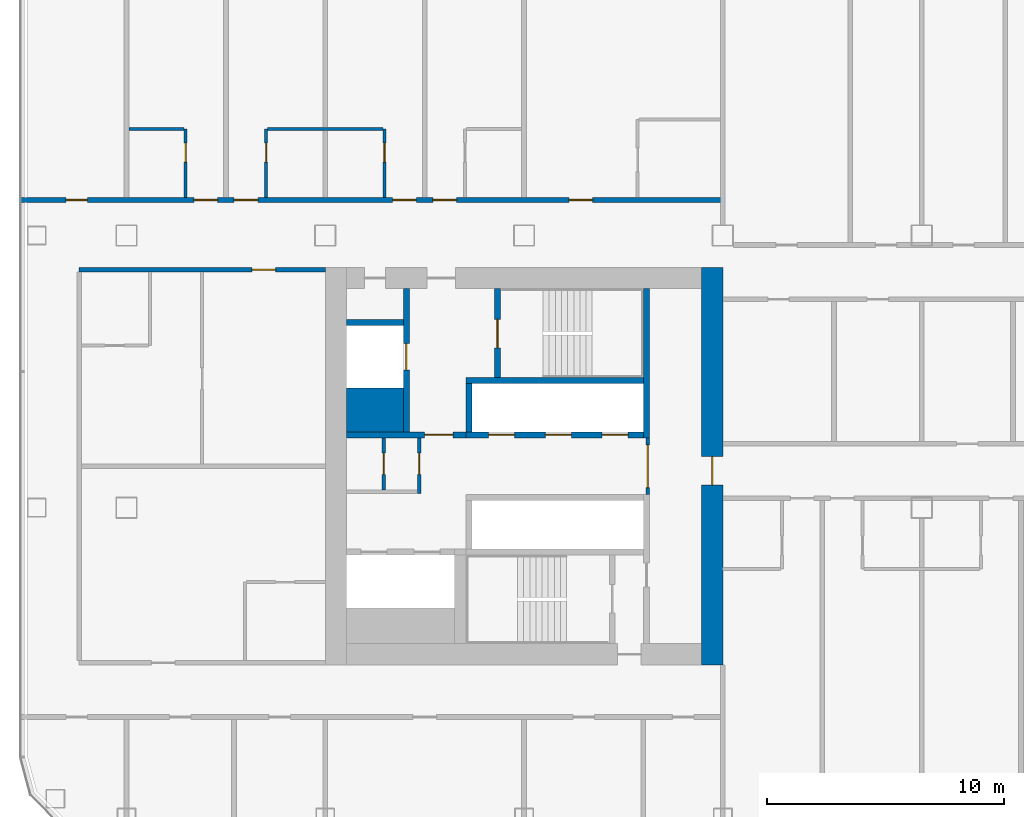
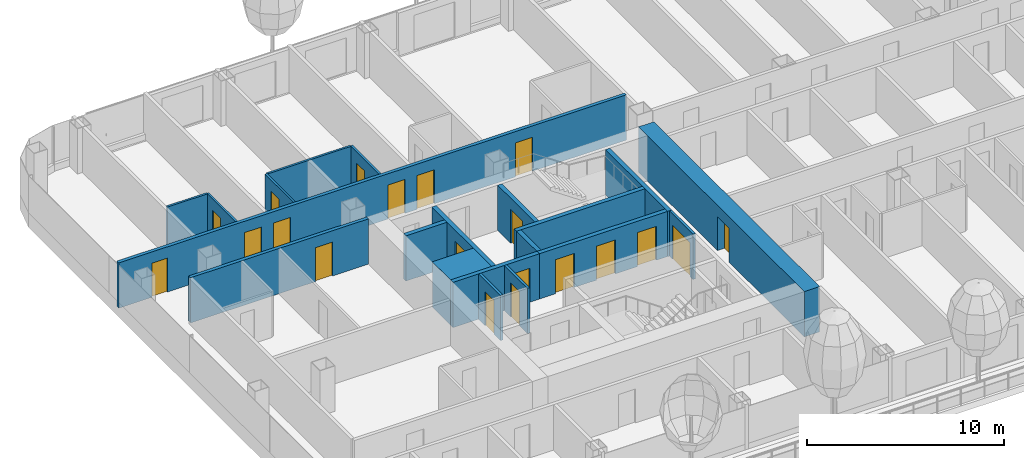
# One storey, part 14 of 34: 20 doors, 20 walls, 20 openings.
"""IFC4 building model written with IfcOpenShell, lengths in metres."""

from ifc_helpers import new_model, si_unit, direction, frame, frame_2d, origin, place, context, subcontext, project, spatial, rectangle, extrude, material, layer, layer_set, type_object, element, fill, save


model = new_model("IFC4")

# Units and contexts
model_context = context("Model", 3, precision=1e-05, world=origin(), true_north=direction((0.0, 1.0)))
body_context = subcontext(model_context, "Body", "Model", "MODEL_VIEW")
ifc_project = project(units=[si_unit("LENGTHUNIT", "METRE"), si_unit("AREAUNIT", "SQUARE_METRE"), si_unit("VOLUMEUNIT", "CUBIC_METRE"), si_unit("PLANEANGLEUNIT", "RADIAN"), si_unit("MASSUNIT", "GRAM", prefix="KILO")], contexts=[model_context])

# Site, building, storey
site_placement = place(None, origin())
site = spatial("IfcSite", under=ifc_project, at=site_placement, CompositionType="ELEMENT")
building_placement = place(site_placement, origin())
building = spatial("IfcBuilding", under=site, at=building_placement, Name="Hakoniwa Tower and Hamabe Station Hall", CompositionType="ELEMENT")
storey_placement = place(building_placement, frame((0.0, 0.0, 94.60009765625)))
storey = spatial("IfcBuildingStorey", under=building, at=storey_placement, Name="L26", CompositionType="ELEMENT", Elevation=94.60009765625)

# Walls
ifc_material_1 = material(Name="Gypsum board partition", Category="gypsum")
ifc_layer_1 = layer(ifc_material_1, 0.125)
ifc_layer_set_1 = layer_set([ifc_layer_1], Name="Bathroom Partition 125")
wall_type_1 = type_object("IfcWallType", Name="Bathroom Partition 125", PredefinedType="PARTITIONING", material=ifc_layer_set_1)
wall_1_placement = place(storey_placement, frame((-41.89990234375, 14.25, 0.0), z_axis=(0.0, 0.0, 1.0), x_axis=(1.0, 0.0, 0.0)))
element("IfcWall", 1, at=wall_1_placement, inside=storey, type_object=wall_type_1, Name="GW-L26-027", PredefinedType="PARTITIONING", context=body_context, shape_type="SweptSolid", body=[
    extrude(rectangle(XDim=2.33740234375, YDim=0.125, at=frame_2d((1.168701171875, 0.0))), origin(), (0.0, 0.0, 1.0), 2.7998046875),
])
wall_2_placement = place(storey_placement, frame((-36.03759765625, 14.25, 0.0), z_axis=(0.0, 0.0, 1.0), x_axis=(1.0, 0.0, 0.0)))
element("IfcWall", 2, at=wall_2_placement, inside=storey, type_object=wall_type_1, Name="GW-L26-028", PredefinedType="PARTITIONING", context=body_context, shape_type="SweptSolid", body=[
    extrude(rectangle(XDim=4.875, YDim=0.125, at=frame_2d((2.4375, 0.0))), origin(), (0.0, 0.0, 1.0), 2.7998046875),
])

# Wall, opening, door
wall_3_placement = place(storey_placement, frame((-39.5, 11.35009765625, 0.0), z_axis=(0.0, 0.0, 1.0), x_axis=(0.0, 1.0, 0.0)))
wall_3 = element("IfcWall", 3, at=wall_3_placement, inside=storey, type_object=wall_type_1, Name="GW-L26-035", PredefinedType="PARTITIONING", context=body_context, shape_type="SweptSolid", body=[
    extrude(rectangle(XDim=2.89990234375, YDim=0.125, at=frame_2d((1.449951171875, 0.0))), origin(), (0.0, 0.0, 1.0), 2.7998046875),
])
opening_1_placement = place(wall_3_placement, frame((1.5, 0.0, 0.0)))
opening_1 = element("IfcOpeningElement", 4, at=opening_1_placement, cuts=wall_3, Name="Opening GD-G2B1-55", PredefinedType="OPENING", context=body_context, shape_type="SweptSolid", body=[
    extrude(rectangle(XDim=0.800048828125, YDim=2.10009765625, at=frame_2d((0.39990234375, 1.050048828125))), frame((0.0, 0.072509765625, 0.0), z_axis=(0.0, -1.0, 0.0), x_axis=(1.0, 0.0, 0.0)), (0.0, 0.0, 1.0), 0.14501953125),
])
ifc_material_2 = material(Name="Timber door leaf", Category="wood")
door_type_1 = type_object("IfcDoorType", Name="Bathroom Door 800", OperationType="SINGLE_SWING_LEFT", PredefinedType="DOOR", material=ifc_material_2)
door_1_placement = place(opening_1_placement, origin())
door_1 = element("IfcDoor", 5, at=door_1_placement, inside=storey, type_object=door_type_1, Name="Door GD-G2B1-55", OperationType="SINGLE_SWING_LEFT", OverallHeight=2.10009765625, OverallWidth=0.800048828125, PredefinedType="DOOR", context=body_context, shape_type="SweptSolid", body=[
    extrude(rectangle(XDim=0.800048828125, YDim=2.10009765625, at=frame_2d((0.39990234375, 1.050048828125))), frame((0.0, 0.02490234375, 0.0), z_axis=(0.0, -1.0, 0.0), x_axis=(1.0, 0.0, 0.0)), (0.0, 0.0, 1.0), 0.050048828125),
])
fill(opening_1, door_1)

wall_4_placement = place(storey_placement, frame((-36.10009765625, 11.35009765625, 0.0), z_axis=(0.0, 0.0, 1.0), x_axis=(0.0, 1.0, 0.0)))
wall_4 = element("IfcWall", 6, at=wall_4_placement, inside=storey, type_object=wall_type_1, Name="GW-L26-040", PredefinedType="PARTITIONING", context=body_context, shape_type="SweptSolid", body=[
    extrude(rectangle(XDim=2.89990234375, YDim=0.125, at=frame_2d((1.449951171875, 0.0))), origin(), (0.0, 0.0, 1.0), 2.7998046875),
])
opening_2_placement = place(wall_4_placement, frame((1.5, 0.0, 0.0)))
opening_2 = element("IfcOpeningElement", 7, at=opening_2_placement, cuts=wall_4, Name="Opening GD-G2B1-57", PredefinedType="OPENING", context=body_context, shape_type="SweptSolid", body=[
    extrude(rectangle(XDim=0.800048828125, YDim=2.10009765625, at=frame_2d((0.39990234375, 1.050048828125))), frame((0.0, 0.072509765625, 0.0), z_axis=(0.0, -1.0, 0.0), x_axis=(1.0, 0.0, 0.0)), (0.0, 0.0, 1.0), 0.14501953125),
])
door_2_placement = place(opening_2_placement, origin())
door_2 = element("IfcDoor", 8, at=door_2_placement, inside=storey, type_object=door_type_1, Name="Door GD-G2B1-57", OperationType="SINGLE_SWING_RIGHT", OverallHeight=2.10009765625, OverallWidth=0.800048828125, PredefinedType="DOOR", context=body_context, shape_type="SweptSolid", body=[
    extrude(rectangle(XDim=0.800048828125, YDim=2.10009765625, at=frame_2d((0.39990234375, 1.050048828125))), frame((0.0, 0.02490234375, 0.0), z_axis=(0.0, -1.0, 0.0), x_axis=(1.0, 0.0, 0.0)), (0.0, 0.0, 1.0), 0.050048828125),
])
fill(opening_2, door_2)

wall_5_placement = place(storey_placement, frame((-31.10009765625, 11.35009765625, 0.0), z_axis=(0.0, 0.0, 1.0), x_axis=(0.0, 1.0, 0.0)))
wall_5 = element("IfcWall", 9, at=wall_5_placement, inside=storey, type_object=wall_type_1, Name="GW-L26-043", PredefinedType="PARTITIONING", context=body_context, shape_type="SweptSolid", body=[
    extrude(rectangle(XDim=2.89990234375, YDim=0.125, at=frame_2d((1.449951171875, 0.0))), origin(), (0.0, 0.0, 1.0), 2.7998046875),
])
opening_3_placement = place(wall_5_placement, frame((1.5, 0.0, 0.0)))
opening_3 = element("IfcOpeningElement", 10, at=opening_3_placement, cuts=wall_5, Name="Opening GD-G2B1-58", PredefinedType="OPENING", context=body_context, shape_type="SweptSolid", body=[
    extrude(rectangle(XDim=0.800048828125, YDim=2.10009765625, at=frame_2d((0.39990234375, 1.050048828125))), frame((0.0, 0.072509765625, 0.0), z_axis=(0.0, -1.0, 0.0), x_axis=(1.0, 0.0, 0.0)), (0.0, 0.0, 1.0), 0.14501953125),
])
door_3_placement = place(opening_3_placement, origin())
door_3 = element("IfcDoor", 11, at=door_3_placement, inside=storey, type_object=door_type_1, Name="Door GD-G2B1-58", OperationType="SINGLE_SWING_LEFT", OverallHeight=2.10009765625, OverallWidth=0.800048828125, PredefinedType="DOOR", context=body_context, shape_type="SweptSolid", body=[
    extrude(rectangle(XDim=0.800048828125, YDim=2.10009765625, at=frame_2d((0.39990234375, 1.050048828125))), frame((0.0, 0.02490234375, 0.0), z_axis=(0.0, -1.0, 0.0), x_axis=(1.0, 0.0, 0.0)), (0.0, 0.0, 1.0), 0.050048828125),
])
fill(opening_3, door_3)

ifc_material_3 = material(Name="Gypsum board partition")
ifc_layer_2 = layer(ifc_material_3, 0.14990234375)
ifc_layer_set_2 = layer_set([ifc_layer_2], Name="CORE PARTITION 150 EI 60")
wall_type_2 = type_object("IfcWallType", Name="CORE PARTITION 150 EI 60", PredefinedType="PARTITIONING", material=ifc_layer_set_2)
wall_6_placement = place(storey_placement, frame((-19.97509765625, -1.199951171875, 0.0), z_axis=(0.0, 0.0, 1.0), x_axis=(0.0, 1.0, 0.0)))
wall_6 = element("IfcWall", 12, at=wall_6_placement, inside=storey, type_object=wall_type_2, Name="Core partition PL0 west", PredefinedType="PARTITIONING", context=body_context, shape_type="SweptSolid", body=[
    extrude(rectangle(XDim=2.39990234375, YDim=0.14990234375, at=frame_2d((1.199951171875, 0.0))), origin(), (0.0, 0.0, 1.0), 2.7998046875),
])
opening_4_placement = place(wall_6_placement, frame((0.300048828125, 0.0, 0.0)))
opening_4 = element("IfcOpeningElement", 13, at=opening_4_placement, cuts=wall_6, Name="Opening CD-W-LP0-18", PredefinedType="OPENING", context=body_context, shape_type="SweptSolid", body=[
    extrude(rectangle(XDim=1.800048828125, YDim=2.10009765625, at=frame_2d((0.89990234375, 1.050048828125))), frame((0.0, 0.0849609375, 0.0), z_axis=(0.0, -1.0, 0.0), x_axis=(1.0, 0.0, 0.0)), (0.0, 0.0, 1.0), 0.169921875),
])
ifc_material_4 = material(Name="Steel fire door", Category="steel")
door_type_2 = type_object("IfcDoorType", Name="CORE DOOR 1800 FD60", OperationType="DOUBLE_DOOR_SINGLE_SWING", PredefinedType="DOOR", material=ifc_material_4)
door_4_placement = place(opening_4_placement, origin())
door_4 = element("IfcDoor", 14, at=door_4_placement, inside=storey, type_object=door_type_2, Name="Lift lobby partition door", OperationType="DOUBLE_DOOR_SINGLE_SWING", OverallHeight=2.10009765625, OverallWidth=1.800048828125, PredefinedType="DOOR", context=body_context, shape_type="SweptSolid", body=[
    extrude(rectangle(XDim=1.800048828125, YDim=2.10009765625, at=frame_2d((0.89990234375, 1.050048828125))), frame((0.0, 0.02490234375, 0.0), z_axis=(0.0, -1.0, 0.0), x_axis=(1.0, 0.0, 0.0)), (0.0, 0.0, 1.0), 0.050048828125),
])
fill(opening_4, door_4)

wall_7_placement = place(storey_placement, frame((-29.625, -1.14990234375, 0.0), z_axis=(0.0, 0.0, 1.0), x_axis=(0.0, 1.0, 0.0)))
wall_7 = element("IfcWall", 15, at=wall_7_placement, inside=storey, type_object=wall_type_2, Name="Core partition PW0 west", PredefinedType="PARTITIONING", context=body_context, shape_type="SweptSolid", body=[
    extrude(rectangle(XDim=2.349853515625, YDim=0.14990234375, at=frame_2d((1.1748046875, 0.0))), origin(), (0.0, 0.0, 1.0), 2.7998046875),
])
opening_5_placement = place(wall_7_placement, frame((0.800048828125, 0.0, 0.0)))
opening_5 = element("IfcOpeningElement", 16, at=opening_5_placement, cuts=wall_7, Name="Opening CD-W-RM1-9", PredefinedType="OPENING", context=body_context, shape_type="SweptSolid", body=[
    extrude(rectangle(XDim=0.89990234375, YDim=2.10009765625, at=frame_2d((0.449951171875, 1.050048828125))), frame((0.0, 0.0849609375, 0.0), z_axis=(0.0, -1.0, 0.0), x_axis=(1.0, 0.0, 0.0)), (0.0, 0.0, 1.0), 0.169921875),
])
ifc_material_5 = material(Name="Steel fire door", Category="steel")
door_type_3 = type_object("IfcDoorType", Name="CORE DOOR 900 FD30", OperationType="NOTDEFINED", PredefinedType="DOOR", material=ifc_material_5)
door_5_placement = place(opening_5_placement, origin())
door_5 = element("IfcDoor", 17, at=door_5_placement, inside=storey, type_object=door_type_3, Name="Store room door", OperationType="SINGLE_SWING_RIGHT", OverallHeight=2.10009765625, OverallWidth=0.89990234375, PredefinedType="DOOR", context=body_context, shape_type="SweptSolid", body=[
    extrude(rectangle(XDim=0.89990234375, YDim=2.10009765625, at=frame_2d((0.449951171875, 1.050048828125))), frame((0.0, 0.02490234375, 0.0), z_axis=(0.0, -1.0, 0.0), x_axis=(1.0, 0.0, 0.0)), (0.0, 0.0, 1.0), 0.050048828125),
])
fill(opening_5, door_5)

wall_8_placement = place(storey_placement, frame((-31.125, -1.0, 0.0), z_axis=(0.0, 0.0, 1.0), x_axis=(0.0, 1.0, 0.0)))
wall_8 = element("IfcWall", 18, at=wall_8_placement, inside=storey, type_object=wall_type_2, Name="Core partition PW1 west", PredefinedType="PARTITIONING", context=body_context, shape_type="SweptSolid", body=[
    extrude(rectangle(XDim=2.199951171875, YDim=0.14990234375, at=frame_2d((1.10009765625, 0.0))), origin(), (0.0, 0.0, 1.0), 2.7998046875),
])
opening_6_placement = place(wall_8_placement, frame((0.64990234375, 0.0, 0.0)))
opening_6 = element("IfcOpeningElement", 19, at=opening_6_placement, cuts=wall_8, Name="Opening CD-W-RM2-9", PredefinedType="OPENING", context=body_context, shape_type="SweptSolid", body=[
    extrude(rectangle(XDim=0.89990234375, YDim=2.10009765625, at=frame_2d((0.449951171875, 1.050048828125))), frame((0.0, 0.0849609375, 0.0), z_axis=(0.0, -1.0, 0.0), x_axis=(1.0, 0.0, 0.0)), (0.0, 0.0, 1.0), 0.169921875),
])
door_6_placement = place(opening_6_placement, origin())
door_6 = element("IfcDoor", 20, at=door_6_placement, inside=storey, type_object=door_type_3, Name="Store room door", OperationType="SINGLE_SWING_RIGHT", OverallHeight=2.10009765625, OverallWidth=0.89990234375, PredefinedType="DOOR", context=body_context, shape_type="SweptSolid", body=[
    extrude(rectangle(XDim=0.89990234375, YDim=2.10009765625, at=frame_2d((0.449951171875, 1.050048828125))), frame((0.0, 0.02490234375, 0.0), z_axis=(0.0, -1.0, 0.0), x_axis=(1.0, 0.0, 0.0)), (0.0, 0.0, 1.0), 0.050048828125),
])
fill(opening_6, door_6)

ifc_material_6 = material(Name="Concrete C72", Category="concrete")
ifc_layer_3 = layer(ifc_material_6, 0.89990234375)
ifc_layer_set_3 = layer_set([ifc_layer_3], Name="CORE WALL 900 C72")
wall_type_3 = type_object("IfcWallType", Name="CORE WALL 900 C72", PredefinedType="SHEAR", material=ifc_layer_set_3)
wall_9_placement = place(storey_placement, frame((-17.25, -8.39990234375, 0.0), z_axis=(0.0, 0.0, 1.0), x_axis=(0.0, 1.0, 0.0)))
wall_9 = element("IfcWall", 21, at=wall_9_placement, inside=storey, type_object=wall_type_3, Name="Core wall INNER west", PredefinedType="SHEAR", context=body_context, shape_type="SweptSolid", body=[
    extrude(rectangle(XDim=16.7998046875, YDim=0.89990234375, at=frame_2d((8.39990234375, 0.0))), origin(), (0.0, 0.0, 1.0), 2.7998046875),
])
opening_7_placement = place(wall_9_placement, frame((7.60009765625, 0.0, 0.0)))
opening_7 = element("IfcOpeningElement", 22, at=opening_7_placement, cuts=wall_9, Name="Opening CD-W-IN1-12", PredefinedType="OPENING", context=body_context, shape_type="SweptSolid", body=[
    extrude(rectangle(XDim=1.199951171875, YDim=2.10009765625, at=frame_2d((0.60009765625, 1.050048828125))), frame((0.0, 0.4599609375, 0.0), z_axis=(0.0, -1.0, 0.0), x_axis=(1.0, 0.0, 0.0)), (0.0, 0.0, 1.0), 0.919921875),
])
ifc_material_7 = material(Name="Steel fire door", Category="steel")
door_type_4 = type_object("IfcDoorType", Name="CORE DOOR 1200 FD60", OperationType="DOUBLE_DOOR_SINGLE_SWING", PredefinedType="DOOR", material=ifc_material_7)
door_7_placement = place(opening_7_placement, origin())
door_7 = element("IfcDoor", 23, at=door_7_placement, inside=storey, type_object=door_type_4, Name="Lift lobby door", OperationType="DOUBLE_DOOR_SINGLE_SWING", OverallHeight=2.10009765625, OverallWidth=1.199951171875, PredefinedType="DOOR", context=body_context, shape_type="SweptSolid", body=[
    extrude(rectangle(XDim=1.199951171875, YDim=2.10009765625, at=frame_2d((0.60009765625, 1.050048828125))), frame((0.0, 0.02490234375, 0.0), z_axis=(0.0, -1.0, 0.0), x_axis=(1.0, 0.0, 0.0)), (0.0, 0.0, 1.0), 0.050048828125),
])
fill(opening_7, door_7)

# Walls
ifc_material_8 = material(Name="Concrete C72", Category="concrete")
ifc_layer_4 = layer(ifc_material_8, 1.85009765625)
ifc_layer_set_4 = layer_set([ifc_layer_4], Name="CORE WEB WALL 1850 C72")
wall_type_4 = type_object("IfcWallType", Name="CORE WEB WALL 1850 C72", PredefinedType="SHEAR", material=ifc_layer_set_4)
wall_10_placement = place(storey_placement, frame((-32.699951171875, 2.375, 0.0), z_axis=(0.0, 0.0, 1.0), x_axis=(1.0, 0.0, 0.0)))
element("IfcWall", 24, at=wall_10_placement, inside=storey, type_object=wall_type_4, Name="Core wall CA west", PredefinedType="SHEAR", context=body_context, shape_type="SweptSolid", body=[
    extrude(rectangle(XDim=2.39990234375, YDim=1.85009765625, at=frame_2d((1.199951171875, 0.0))), origin(), (0.0, 0.0, 1.0), 2.7998046875),
])
ifc_material_9 = material(Name="Concrete C72", Category="concrete")
ifc_layer_5 = layer(ifc_material_9, 0.25)
ifc_layer_set_5 = layer_set([ifc_layer_5], Name="CORE WEB WALL 250 C72")
wall_type_5 = type_object("IfcWallType", Name="CORE WEB WALL 250 C72", PredefinedType="SHEAR", material=ifc_layer_set_5)
wall_11_placement = place(storey_placement, frame((-20.02490234375, 1.199951171875, 0.0), z_axis=(0.0, 0.0, 1.0), x_axis=(0.0, 1.0, 0.0)))
element("IfcWall", 25, at=wall_11_placement, inside=storey, type_object=wall_type_5, Name="Core wall W1N west", PredefinedType="SHEAR", context=body_context, shape_type="SweptSolid", body=[
    extrude(rectangle(XDim=6.300048828125, YDim=0.25, at=frame_2d((3.14990234375, 0.0))), origin(), (0.0, 0.0, 1.0), 2.7998046875),
])

# Wall, openings, doors
wall_12_placement = place(storey_placement, frame((-27.64990234375, 1.324951171875, 0.0), z_axis=(0.0, 0.0, 1.0), x_axis=(1.0, 0.0, 0.0)))
wall_12 = element("IfcWall", 26, at=wall_12_placement, inside=storey, type_object=wall_type_5, Name="Core wall NF west", PredefinedType="SHEAR", context=body_context, shape_type="SweptSolid", body=[
    extrude(rectangle(XDim=7.5, YDim=0.25, at=frame_2d((3.75, 0.0))), origin(), (0.0, 0.0, 1.0), 2.7998046875),
])
opening_8_placement = place(wall_12_placement, frame((5.75, 0.0, 0.0)))
opening_8 = element("IfcOpeningElement", 27, at=opening_8_placement, cuts=wall_12, Name="Opening LD-LR1", PredefinedType="OPENING", context=body_context, shape_type="SweptSolid", body=[
    extrude(rectangle(XDim=1.10009765625, YDim=2.10009765625, at=frame_2d((0.550048828125, 1.050048828125))), frame((0.0, 0.135009765625, 0.0), z_axis=(0.0, -1.0, 0.0), x_axis=(1.0, 0.0, 0.0)), (0.0, 0.0, 1.0), 0.27001953125),
])
opening_9_placement = place(wall_12_placement, frame((3.35009765625, 0.0, 0.0)))
opening_9 = element("IfcOpeningElement", 28, at=opening_9_placement, cuts=wall_12, Name="Opening LD-LR2", PredefinedType="OPENING", context=body_context, shape_type="SweptSolid", body=[
    extrude(rectangle(XDim=1.10009765625, YDim=2.10009765625, at=frame_2d((0.550048828125, 1.050048828125))), frame((0.0, 0.135009765625, 0.0), z_axis=(0.0, -1.0, 0.0), x_axis=(1.0, 0.0, 0.0)), (0.0, 0.0, 1.0), 0.27001953125),
])
opening_10_placement = place(wall_12_placement, frame((0.949951171875, 0.0, 0.0)))
opening_10 = element("IfcOpeningElement", 29, at=opening_10_placement, cuts=wall_12, Name="Opening LD-LR3", PredefinedType="OPENING", context=body_context, shape_type="SweptSolid", body=[
    extrude(rectangle(XDim=1.10009765625, YDim=2.10009765625, at=frame_2d((0.550048828125, 1.050048828125))), frame((0.0, 0.135009765625, 0.0), z_axis=(0.0, -1.0, 0.0), x_axis=(1.0, 0.0, 0.0)), (0.0, 0.0, 1.0), 0.27001953125),
])
ifc_material_10 = material(Name="Stainless steel SUS304", Category="steel")
door_type_5 = type_object("IfcDoorType", Name="LIFT LANDING DOOR 1100 FD60", OperationType="DOUBLE_DOOR_SLIDING", PredefinedType="DOOR", material=ifc_material_10)
door_8_placement = place(opening_8_placement, origin())
door_8 = element("IfcDoor", 30, at=door_8_placement, inside=storey, type_object=door_type_5, Name="Lift landing door LR1 L26", OperationType="DOUBLE_DOOR_SLIDING", OverallHeight=2.10009765625, OverallWidth=1.10009765625, PredefinedType="DOOR", context=body_context, shape_type="SweptSolid", body=[
    extrude(rectangle(XDim=1.10009765625, YDim=2.10009765625, at=frame_2d((0.550048828125, 1.050048828125))), frame((0.0, 0.02490234375, 0.0), z_axis=(0.0, -1.0, 0.0), x_axis=(1.0, 0.0, 0.0)), (0.0, 0.0, 1.0), 0.050048828125),
])
fill(opening_8, door_8)
door_9_placement = place(opening_9_placement, origin())
door_9 = element("IfcDoor", 31, at=door_9_placement, inside=storey, type_object=door_type_5, Name="Lift landing door LR2 L26", OperationType="DOUBLE_DOOR_SLIDING", OverallHeight=2.10009765625, OverallWidth=1.10009765625, PredefinedType="DOOR", context=body_context, shape_type="SweptSolid", body=[
    extrude(rectangle(XDim=1.10009765625, YDim=2.10009765625, at=frame_2d((0.550048828125, 1.050048828125))), frame((0.0, 0.02490234375, 0.0), z_axis=(0.0, -1.0, 0.0), x_axis=(1.0, 0.0, 0.0)), (0.0, 0.0, 1.0), 0.050048828125),
])
fill(opening_9, door_9)
door_10_placement = place(opening_10_placement, origin())
door_10 = element("IfcDoor", 32, at=door_10_placement, inside=storey, type_object=door_type_5, Name="Lift landing door LR3 L26", OperationType="DOUBLE_DOOR_SLIDING", OverallHeight=2.10009765625, OverallWidth=1.10009765625, PredefinedType="DOOR", context=body_context, shape_type="SweptSolid", body=[
    extrude(rectangle(XDim=1.10009765625, YDim=2.10009765625, at=frame_2d((0.550048828125, 1.050048828125))), frame((0.0, 0.02490234375, 0.0), z_axis=(0.0, -1.0, 0.0), x_axis=(1.0, 0.0, 0.0)), (0.0, 0.0, 1.0), 0.050048828125),
])
fill(opening_10, door_10)

# Walls
wall_13_placement = place(storey_placement, frame((-27.52490234375, 1.449951171875, 0.0), z_axis=(0.0, 0.0, 1.0), x_axis=(0.0, 1.0, 0.0)))
element("IfcWall", 33, at=wall_13_placement, inside=storey, type_object=wall_type_5, Name="Core wall NE west", PredefinedType="SHEAR", context=body_context, shape_type="SweptSolid", body=[
    extrude(rectangle(XDim=2.050048828125, YDim=0.25, at=frame_2d((1.02490234375, 0.0))), origin(), (0.0, 0.0, 1.0), 2.7998046875),
])
wall_14_placement = place(storey_placement, frame((-27.64990234375, 3.625, 0.0), z_axis=(0.0, 0.0, 1.0), x_axis=(1.0, 0.0, 0.0)))
element("IfcWall", 34, at=wall_14_placement, inside=storey, type_object=wall_type_5, Name="Core wall NR west", PredefinedType="SHEAR", context=body_context, shape_type="SweptSolid", body=[
    extrude(rectangle(XDim=7.5, YDim=0.25, at=frame_2d((3.75, 0.0))), origin(), (0.0, 0.0, 1.0), 2.7998046875),
])

# Wall, opening, door
wall_15_placement = place(storey_placement, frame((-26.324951171875, 3.75, 0.0), z_axis=(0.0, 0.0, 1.0), x_axis=(0.0, 1.0, 0.0)))
wall_15 = element("IfcWall", 35, at=wall_15_placement, inside=storey, type_object=wall_type_5, Name="Core wall NSE west", PredefinedType="SHEAR", context=body_context, shape_type="SweptSolid", body=[
    extrude(rectangle(XDim=3.75, YDim=0.25, at=frame_2d((1.875, 0.0))), origin(), (0.0, 0.0, 1.0), 2.7998046875),
])
opening_11_placement = place(wall_15_placement, frame((1.25, 0.0, 0.0)))
opening_11 = element("IfcOpeningElement", 36, at=opening_11_placement, cuts=wall_15, Name="Opening CD-W-SN-12", PredefinedType="OPENING", context=body_context, shape_type="SweptSolid", body=[
    extrude(rectangle(XDim=1.199951171875, YDim=2.10009765625, at=frame_2d((0.60009765625, 1.050048828125))), frame((0.0, 0.135009765625, 0.0), z_axis=(0.0, -1.0, 0.0), x_axis=(1.0, 0.0, 0.0)), (0.0, 0.0, 1.0), 0.27001953125),
])
door_11_placement = place(opening_11_placement, origin())
door_11 = element("IfcDoor", 37, at=door_11_placement, inside=storey, type_object=door_type_4, Name="Escape stair door", OperationType="DOUBLE_DOOR_SINGLE_SWING", OverallHeight=2.10009765625, OverallWidth=1.199951171875, PredefinedType="DOOR", context=body_context, shape_type="SweptSolid", body=[
    extrude(rectangle(XDim=1.199951171875, YDim=2.10009765625, at=frame_2d((0.60009765625, 1.050048828125))), frame((0.0, 0.02490234375, 0.0), z_axis=(0.0, -1.0, 0.0), x_axis=(1.0, 0.0, 0.0)), (0.0, 0.0, 1.0), 0.050048828125),
])
fill(opening_11, door_11)

wall_16_placement = place(storey_placement, frame((-32.699951171875, 1.324951171875, 0.0), z_axis=(0.0, 0.0, 1.0), x_axis=(1.0, 0.0, 0.0)))
wall_16 = element("IfcWall", 38, at=wall_16_placement, inside=storey, type_object=wall_type_5, Name="Core wall ELN west", PredefinedType="SHEAR", context=body_context, shape_type="SweptSolid", body=[
    extrude(rectangle(XDim=5.050048828125, YDim=0.25, at=frame_2d((2.52490234375, 0.0))), origin(), (0.0, 0.0, 1.0), 2.7998046875),
])
opening_12_placement = place(wall_16_placement, frame((3.300048828125, 0.0, 0.0)))
opening_12 = element("IfcOpeningElement", 39, at=opening_12_placement, cuts=wall_16, Name="Opening CD-W-FL-12", PredefinedType="OPENING", context=body_context, shape_type="SweptSolid", body=[
    extrude(rectangle(XDim=1.199951171875, YDim=2.10009765625, at=frame_2d((0.60009765625, 1.050048828125))), frame((0.0, 0.135009765625, 0.0), z_axis=(0.0, -1.0, 0.0), x_axis=(1.0, 0.0, 0.0)), (0.0, 0.0, 1.0), 0.27001953125),
])
door_12_placement = place(opening_12_placement, origin())
door_12 = element("IfcDoor", 40, at=door_12_placement, inside=storey, type_object=door_type_4, Name="Stair vestibule door to the fire-fighting lobby", OperationType="DOUBLE_DOOR_SINGLE_SWING", OverallHeight=2.10009765625, OverallWidth=1.199951171875, PredefinedType="DOOR", context=body_context, shape_type="SweptSolid", body=[
    extrude(rectangle(XDim=1.199951171875, YDim=2.10009765625, at=frame_2d((0.60009765625, 1.050048828125))), frame((0.0, 0.02490234375, 0.0), z_axis=(0.0, -1.0, 0.0), x_axis=(1.0, 0.0, 0.0)), (0.0, 0.0, 1.0), 0.050048828125),
])
fill(opening_12, door_12)

wall_17_placement = place(storey_placement, frame((-30.175048828125, 1.449951171875, 0.0), z_axis=(0.0, 0.0, 1.0), x_axis=(0.0, 1.0, 0.0)))
wall_17 = element("IfcWall", 41, at=wall_17_placement, inside=storey, type_object=wall_type_5, Name="Core wall FFF west", PredefinedType="SHEAR", context=body_context, shape_type="SweptSolid", body=[
    extrude(rectangle(XDim=6.050048828125, YDim=0.25, at=frame_2d((3.02490234375, 0.0))), origin(), (0.0, 0.0, 1.0), 2.7998046875),
])
opening_13_placement = place(wall_17_placement, frame((2.625, 0.0, 0.0)))
opening_13 = element("IfcOpeningElement", 42, at=opening_13_placement, cuts=wall_17, Name="Opening LD-FF1", PredefinedType="OPENING", context=body_context, shape_type="SweptSolid", body=[
    extrude(rectangle(XDim=1.10009765625, YDim=2.10009765625, at=frame_2d((0.550048828125, 1.050048828125))), frame((0.0, 0.135009765625, 0.0), z_axis=(0.0, -1.0, 0.0), x_axis=(1.0, 0.0, 0.0)), (0.0, 0.0, 1.0), 0.27001953125),
])
door_13_placement = place(opening_13_placement, origin())
door_13 = element("IfcDoor", 43, at=door_13_placement, inside=storey, type_object=door_type_5, Name="Lift landing door FF1 L26", OperationType="DOUBLE_DOOR_SLIDING", OverallHeight=2.10009765625, OverallWidth=1.10009765625, PredefinedType="DOOR", context=body_context, shape_type="SweptSolid", body=[
    extrude(rectangle(XDim=1.10009765625, YDim=2.10009765625, at=frame_2d((0.550048828125, 1.050048828125))), frame((0.0, 0.02490234375, 0.0), z_axis=(0.0, -1.0, 0.0), x_axis=(1.0, 0.0, 0.0)), (0.0, 0.0, 1.0), 0.050048828125),
])
fill(opening_13, door_13)

# Wall
wall_18_placement = place(storey_placement, frame((-32.699951171875, 6.074951171875, 0.0), z_axis=(0.0, 0.0, 1.0), x_axis=(1.0, 0.0, 0.0)))
element("IfcWall", 44, at=wall_18_placement, inside=storey, type_object=wall_type_5, Name="Core wall C2 west", PredefinedType="SHEAR", context=body_context, shape_type="SweptSolid", body=[
    extrude(rectangle(XDim=2.39990234375, YDim=0.25, at=frame_2d((1.199951171875, 0.0))), origin(), (0.0, 0.0, 1.0), 2.7998046875),
])

# Wall, opening, door
ifc_material_11 = material(Name="Fire-rated gypsum board partition", Category="gypsum")
ifc_layer_6 = layer(ifc_material_11, 0.199951171875)
ifc_layer_set_6 = layer_set([ifc_layer_6], Name="Corridor Wall 200")
wall_type_6 = type_object("IfcWallType", Name="Corridor Wall 200", PredefinedType="PARTITIONING", material=ifc_layer_set_6)
wall_19_placement = place(storey_placement, frame((-44.0, 8.300048828125, 0.0), z_axis=(0.0, 0.0, 1.0), x_axis=(1.0, 0.0, 0.0)))
wall_19 = element("IfcWall", 45, at=wall_19_placement, inside=storey, type_object=wall_type_6, Name="GW-L26-019", PredefinedType="PARTITIONING", context=body_context, shape_type="SweptSolid", body=[
    extrude(rectangle(XDim=10.39990234375, YDim=0.199951171875, at=frame_2d((5.199951171875, 0.0))), origin(), (0.0, 0.0, 1.0), 2.7998046875),
])
opening_14_placement = place(wall_19_placement, frame((7.300048828125, 0.0, 0.0)))
opening_14 = element("IfcOpeningElement", 46, at=opening_14_placement, cuts=wall_19, Name="Opening GD-G2B1-35", PredefinedType="OPENING", context=body_context, shape_type="SweptSolid", body=[
    extrude(rectangle(XDim=1.0, YDim=2.10009765625, at=frame_2d((0.5, 1.050048828125))), frame((0.0, 0.10986328125, 0.0), z_axis=(0.0, -1.0, 0.0), x_axis=(1.0, 0.0, 0.0)), (0.0, 0.0, 1.0), 0.219970703125),
])
ifc_material_12 = material(Name="Timber door leaf", Category="wood")
door_type_6 = type_object("IfcDoorType", Name="Guest Entrance Door 1000", OperationType="SINGLE_SWING_LEFT", PredefinedType="DOOR", material=ifc_material_12)
door_14_placement = place(opening_14_placement, origin())
door_14 = element("IfcDoor", 47, at=door_14_placement, inside=storey, type_object=door_type_6, Name="Door GD-G2B1-35", OperationType="SINGLE_SWING_RIGHT", OverallHeight=2.10009765625, OverallWidth=1.0, PredefinedType="DOOR", context=body_context, shape_type="SweptSolid", body=[
    extrude(rectangle(XDim=1.0, YDim=2.10009765625, at=frame_2d((0.5, 1.050048828125))), frame((0.0, 0.02490234375, 0.0), z_axis=(0.0, -1.0, 0.0), x_axis=(1.0, 0.0, 0.0)), (0.0, 0.0, 1.0), 0.050048828125),
])
fill(opening_14, door_14)

# Wall, openings, doors
wall_20_placement = place(storey_placement, frame((-46.5, 11.25, 0.0), z_axis=(0.0, 0.0, 1.0), x_axis=(1.0, 0.0, 0.0)))
wall_20 = element("IfcWall", 48, at=wall_20_placement, inside=storey, type_object=wall_type_6, Name="GW-L26-022", PredefinedType="PARTITIONING", context=body_context, shape_type="SweptSolid", body=[
    extrude(rectangle(XDim=29.699951171875, YDim=0.199951171875, at=frame_2d((14.85009765625, 0.0))), origin(), (0.0, 0.0, 1.0), 2.7998046875),
])
opening_15_placement = place(wall_20_placement, frame((1.949951171875, 0.0, 0.0)))
opening_15 = element("IfcOpeningElement", 49, at=opening_15_placement, cuts=wall_20, Name="Opening GD-G2B1-45", PredefinedType="OPENING", context=body_context, shape_type="SweptSolid", body=[
    extrude(rectangle(XDim=0.89990234375, YDim=2.10009765625, at=frame_2d((0.449951171875, 1.050048828125))), frame((0.0, 0.10986328125, 0.0), z_axis=(0.0, -1.0, 0.0), x_axis=(1.0, 0.0, 0.0)), (0.0, 0.0, 1.0), 0.219970703125),
])
opening_16_placement = place(wall_20_placement, frame((7.35009765625, 0.0, 0.0)))
opening_16 = element("IfcOpeningElement", 50, at=opening_16_placement, cuts=wall_20, Name="Opening GD-G2B1-46", PredefinedType="OPENING", context=body_context, shape_type="SweptSolid", body=[
    extrude(rectangle(XDim=1.0, YDim=2.10009765625, at=frame_2d((0.5, 1.050048828125))), frame((0.0, 0.10986328125, 0.0), z_axis=(0.0, -1.0, 0.0), x_axis=(1.0, 0.0, 0.0)), (0.0, 0.0, 1.0), 0.219970703125),
])
opening_17_placement = place(wall_20_placement, frame((9.050048828125, 0.0, 0.0)))
opening_17 = element("IfcOpeningElement", 51, at=opening_17_placement, cuts=wall_20, Name="Opening GD-G2B1-47", PredefinedType="OPENING", context=body_context, shape_type="SweptSolid", body=[
    extrude(rectangle(XDim=1.0, YDim=2.10009765625, at=frame_2d((0.5, 1.050048828125))), frame((0.0, 0.10986328125, 0.0), z_axis=(0.0, -1.0, 0.0), x_axis=(1.0, 0.0, 0.0)), (0.0, 0.0, 1.0), 0.219970703125),
])
opening_18_placement = place(wall_20_placement, frame((15.75, 0.0, 0.0)))
opening_18 = element("IfcOpeningElement", 52, at=opening_18_placement, cuts=wall_20, Name="Opening GD-G2B1-48", PredefinedType="OPENING", context=body_context, shape_type="SweptSolid", body=[
    extrude(rectangle(XDim=1.0, YDim=2.10009765625, at=frame_2d((0.5, 1.050048828125))), frame((0.0, 0.10986328125, 0.0), z_axis=(0.0, -1.0, 0.0), x_axis=(1.0, 0.0, 0.0)), (0.0, 0.0, 1.0), 0.219970703125),
])
opening_19_placement = place(wall_20_placement, frame((17.449951171875, 0.0, 0.0)))
opening_19 = element("IfcOpeningElement", 53, at=opening_19_placement, cuts=wall_20, Name="Opening GD-G2B1-49", PredefinedType="OPENING", context=body_context, shape_type="SweptSolid", body=[
    extrude(rectangle(XDim=1.0, YDim=2.10009765625, at=frame_2d((0.5, 1.050048828125))), frame((0.0, 0.10986328125, 0.0), z_axis=(0.0, -1.0, 0.0), x_axis=(1.0, 0.0, 0.0)), (0.0, 0.0, 1.0), 0.219970703125),
])
opening_20_placement = place(wall_20_placement, frame((23.199951171875, 0.0, 0.0)))
opening_20 = element("IfcOpeningElement", 54, at=opening_20_placement, cuts=wall_20, Name="Opening GD-G2B1-50", PredefinedType="OPENING", context=body_context, shape_type="SweptSolid", body=[
    extrude(rectangle(XDim=1.0, YDim=2.10009765625, at=frame_2d((0.5, 1.050048828125))), frame((0.0, 0.10986328125, 0.0), z_axis=(0.0, -1.0, 0.0), x_axis=(1.0, 0.0, 0.0)), (0.0, 0.0, 1.0), 0.219970703125),
])
ifc_material_13 = material(Name="Timber door leaf", Category="wood")
door_type_7 = type_object("IfcDoorType", Name="Accessible Guest Entrance Door 1000", OperationType="SINGLE_SWING_LEFT", PredefinedType="DOOR", material=ifc_material_13)
door_15_placement = place(opening_20_placement, origin())
door_15 = element("IfcDoor", 55, at=door_15_placement, inside=storey, type_object=door_type_7, Name="Door GD-G2B1-50", OperationType="SINGLE_SWING_LEFT", OverallHeight=2.10009765625, OverallWidth=1.0, PredefinedType="DOOR", context=body_context, shape_type="SweptSolid", body=[
    extrude(rectangle(XDim=1.0, YDim=2.10009765625, at=frame_2d((0.5, 1.050048828125))), frame((0.0, 0.02490234375, 0.0), z_axis=(0.0, -1.0, 0.0), x_axis=(1.0, 0.0, 0.0)), (0.0, 0.0, 1.0), 0.050048828125),
])
fill(opening_20, door_15)
door_16_placement = place(opening_16_placement, origin())
door_16 = element("IfcDoor", 56, at=door_16_placement, inside=storey, type_object=door_type_6, Name="Door GD-G2B1-46", OperationType="SINGLE_SWING_RIGHT", OverallHeight=2.10009765625, OverallWidth=1.0, PredefinedType="DOOR", context=body_context, shape_type="SweptSolid", body=[
    extrude(rectangle(XDim=1.0, YDim=2.10009765625, at=frame_2d((0.5, 1.050048828125))), frame((0.0, 0.02490234375, 0.0), z_axis=(0.0, -1.0, 0.0), x_axis=(1.0, 0.0, 0.0)), (0.0, 0.0, 1.0), 0.050048828125),
])
fill(opening_16, door_16)
door_17_placement = place(opening_17_placement, origin())
door_17 = element("IfcDoor", 57, at=door_17_placement, inside=storey, type_object=door_type_6, Name="Door GD-G2B1-47", OperationType="SINGLE_SWING_LEFT", OverallHeight=2.10009765625, OverallWidth=1.0, PredefinedType="DOOR", context=body_context, shape_type="SweptSolid", body=[
    extrude(rectangle(XDim=1.0, YDim=2.10009765625, at=frame_2d((0.5, 1.050048828125))), frame((0.0, 0.02490234375, 0.0), z_axis=(0.0, -1.0, 0.0), x_axis=(1.0, 0.0, 0.0)), (0.0, 0.0, 1.0), 0.050048828125),
])
fill(opening_17, door_17)
door_18_placement = place(opening_18_placement, origin())
door_18 = element("IfcDoor", 58, at=door_18_placement, inside=storey, type_object=door_type_6, Name="Door GD-G2B1-48", OperationType="SINGLE_SWING_RIGHT", OverallHeight=2.10009765625, OverallWidth=1.0, PredefinedType="DOOR", context=body_context, shape_type="SweptSolid", body=[
    extrude(rectangle(XDim=1.0, YDim=2.10009765625, at=frame_2d((0.5, 1.050048828125))), frame((0.0, 0.02490234375, 0.0), z_axis=(0.0, -1.0, 0.0), x_axis=(1.0, 0.0, 0.0)), (0.0, 0.0, 1.0), 0.050048828125),
])
fill(opening_18, door_18)
door_19_placement = place(opening_19_placement, origin())
door_19 = element("IfcDoor", 59, at=door_19_placement, inside=storey, type_object=door_type_6, Name="Door GD-G2B1-49", OperationType="SINGLE_SWING_LEFT", OverallHeight=2.10009765625, OverallWidth=1.0, PredefinedType="DOOR", context=body_context, shape_type="SweptSolid", body=[
    extrude(rectangle(XDim=1.0, YDim=2.10009765625, at=frame_2d((0.5, 1.050048828125))), frame((0.0, 0.02490234375, 0.0), z_axis=(0.0, -1.0, 0.0), x_axis=(1.0, 0.0, 0.0)), (0.0, 0.0, 1.0), 0.050048828125),
])
fill(opening_19, door_19)
ifc_material_14 = material(Name="Timber door leaf", Category="wood")
door_type_8 = type_object("IfcDoorType", Name="Service Door 900", OperationType="SINGLE_SWING_LEFT", PredefinedType="DOOR", material=ifc_material_14)
door_20_placement = place(opening_15_placement, origin())
door_20 = element("IfcDoor", 60, at=door_20_placement, inside=storey, type_object=door_type_8, Name="Door GD-G2B1-45", OperationType="SINGLE_SWING_LEFT", OverallHeight=2.10009765625, OverallWidth=0.89990234375, PredefinedType="DOOR", context=body_context, shape_type="SweptSolid", body=[
    extrude(rectangle(XDim=0.89990234375, YDim=2.10009765625, at=frame_2d((0.449951171875, 1.050048828125))), frame((0.0, 0.02490234375, 0.0), z_axis=(0.0, -1.0, 0.0), x_axis=(1.0, 0.0, 0.0)), (0.0, 0.0, 1.0), 0.050048828125),
])
fill(opening_15, door_20)

save(model, "model.ifc")
